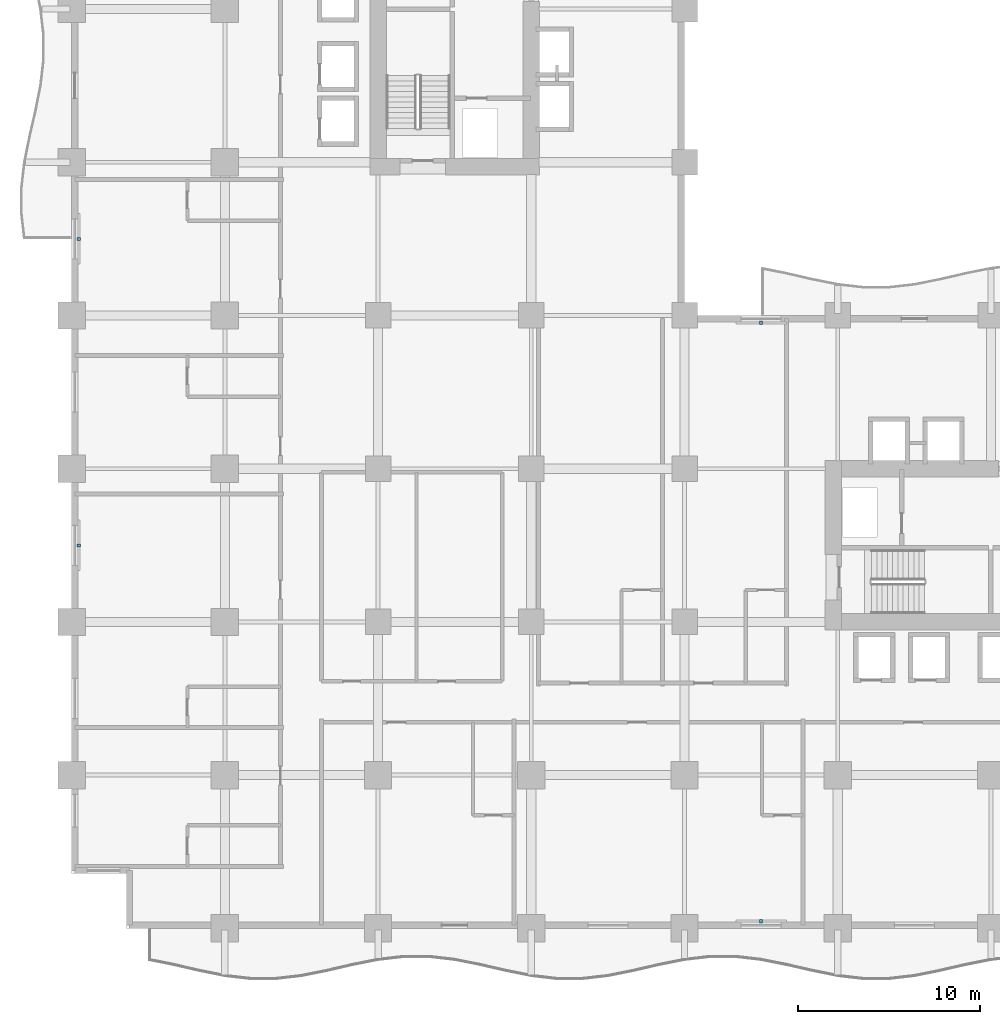
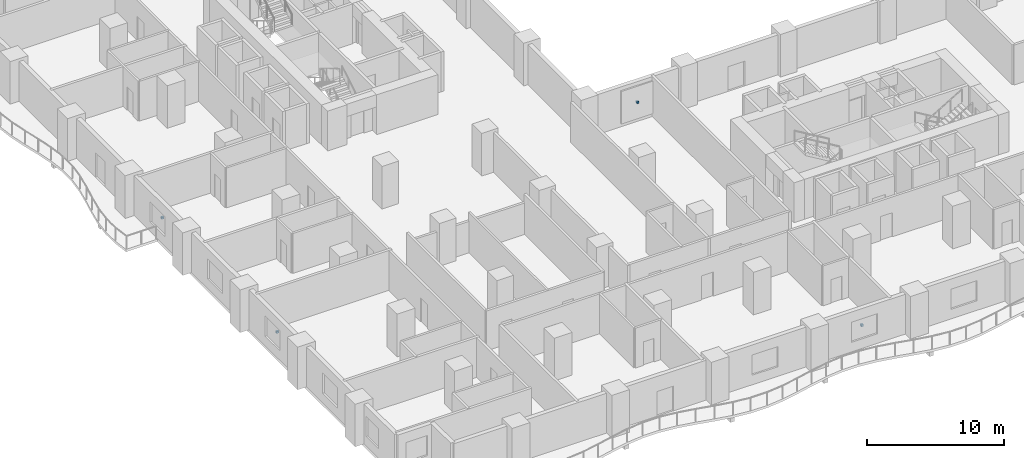
# One storey, part 15 of 20: 4 discrete accessories.
"""IFC4 building model written with IfcOpenShell, lengths in metres."""

from ifc_helpers import new_model, si_unit, direction, frame, origin, origin_2d, place, context, subcontext, project, spatial, rectangle, extrude, material, type_object, element, save


model = new_model("IFC4")

# Units and contexts
model_context = context("Model", 3, precision=1e-05, world=origin(), true_north=direction((0.0, 1.0)))
body_context = subcontext(model_context, "Body", "Model", "MODEL_VIEW")
ifc_project = project(units=[si_unit("LENGTHUNIT", "METRE"), si_unit("AREAUNIT", "SQUARE_METRE"), si_unit("VOLUMEUNIT", "CUBIC_METRE"), si_unit("PLANEANGLEUNIT", "RADIAN"), si_unit("MASSUNIT", "GRAM", prefix="KILO")], contexts=[model_context])

# Site, building, storey
site_placement = place(None, origin())
site = spatial("IfcSite", under=ifc_project, at=site_placement, CompositionType="ELEMENT")
building_placement = place(site_placement, origin())
building = spatial("IfcBuilding", under=site, at=building_placement, Name="Koriwani Terraces Tower", CompositionType="ELEMENT")
storey_placement = place(building_placement, frame((0.0, 0.0, 73.800048828125)))
storey = spatial("IfcBuildingStorey", under=building, at=storey_placement, Name="L17", CompositionType="ELEMENT", Elevation=73.800048828125)

# Discrete accessories
ifc_material = material(Name="Steel ASTM A572 Grade 50", Category="steel")
discrete_accessory_type = type_object("IfcDiscreteAccessoryType", Name="BAGUETTE_STANDOFF_BRACKET", PredefinedType="BRACKET", material=ifc_material)
for number, where, z_axis, x_axis, name in (
    (1, (0.389892578125, 21.0, 1.68505859375), (0.0, 0.0, 1.0), (0.0, 1.0, 0.0), "L17 Terracotta Baguette Bracket (W-6)"),
    (2, (0.389892578125, 37.800048828125, 1.68505859375), (0.0, 0.0, 1.0), (0.0, 1.0, 0.0), "L17 Terracotta Baguette Bracket (W-12)"),
    (3, (37.800048828125, 33.2099609375, 1.68505859375), (0.0, 0.0, 1.0), (1.0, 0.0, 0.0), "L17 Terracotta Baguette Bracket (NE-2)"),
    (4, (37.800048828125, 0.389892578125, 1.68505859375), (0.0, 0.0, 1.0), (-1.0, 0.0, 0.0), "L17 Terracotta Baguette Bracket (S-12)"),
):
    element("IfcDiscreteAccessory", number, at=place(storey_placement, frame(where, z_axis=z_axis, x_axis=x_axis)), inside=storey, type_object=discrete_accessory_type, Name=name, PredefinedType="BRACKET", context=body_context, shape_type="SweptSolid", body=[
        extrude(rectangle(XDim=0.159912109375, YDim=0.199951171875, at=origin_2d()), origin(), (0.0, 0.0, 1.0), 0.179931640625),
    ])

save(model, "model.ifc")
